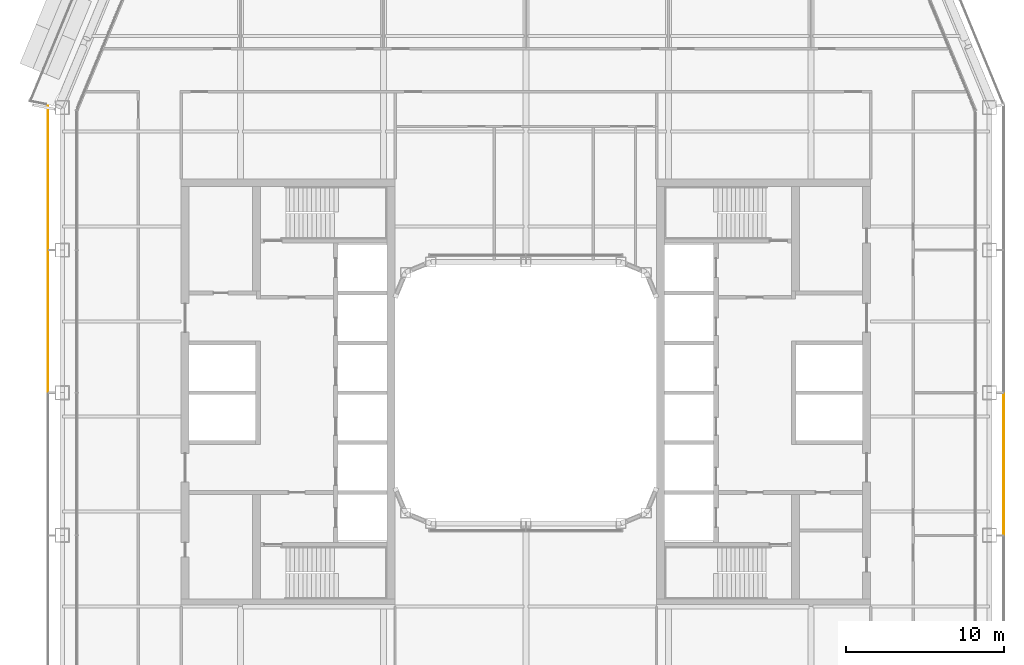
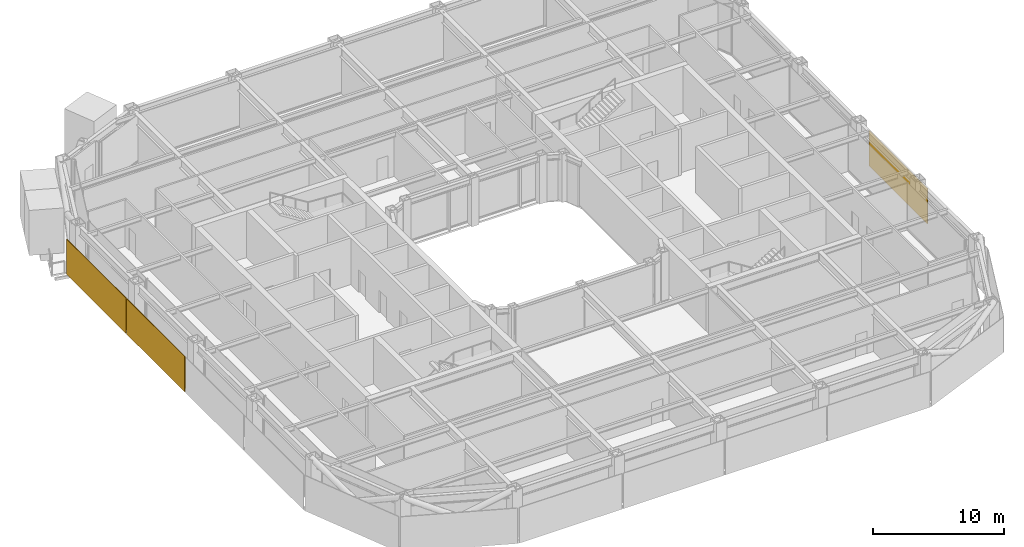
# One storey, part 20 of 23: 3 coverings.
"""IFC4 building model written with IfcOpenShell, lengths in metres."""

from ifc_helpers import new_model, si_unit, direction, frame, origin, origin_2d, place, context, subcontext, project, spatial, rectangle, extrude, material, layer, layer_set, type_object, element, save


model = new_model("IFC4")

# Units and contexts
model_context = context("Model", 3, precision=1e-05, world=origin(), true_north=direction((0.0, 1.0)))
body_context = subcontext(model_context, "Body", "Model", "MODEL_VIEW")
ifc_project = project(units=[si_unit("LENGTHUNIT", "METRE"), si_unit("AREAUNIT", "SQUARE_METRE"), si_unit("VOLUMEUNIT", "CUBIC_METRE"), si_unit("PLANEANGLEUNIT", "RADIAN"), si_unit("MASSUNIT", "GRAM", prefix="KILO")], contexts=[model_context])

# Site, building, storey
site_placement = place(None, origin())
site = spatial("IfcSite", under=ifc_project, at=site_placement, CompositionType="ELEMENT")
building_placement = place(site_placement, origin())
building = spatial("IfcBuilding", under=site, at=building_placement, Name="Siwar Civic Tower", CompositionType="ELEMENT")
storey_placement = place(building_placement, frame((0.0, 0.0, 172.199951171875)))
storey = spatial("IfcBuildingStorey", under=building, at=storey_placement, Name="L37", CompositionType="ELEMENT", Elevation=172.199951171875)

# Coverings
ifc_material_1 = material(Name="Perforated aluminium cassette, pale metal", Category="aluminium")
ifc_layer_1 = layer(ifc_material_1, 0.0400390625)
ifc_layer_set_1 = layer_set([ifc_layer_1], Name="Perforated aluminium cassette, pale metal")
covering_type_1 = type_object("IfcCoveringType", Name="ENV-OUTER SKIN OS-1", PredefinedType="CLADDING", material=ifc_layer_set_1)
covering_1_placement = place(storey_placement, frame((30.14990234375, -4.5, -0.14990234375), z_axis=(0.0, 0.0, 1.0), x_axis=(0.0, 1.0, 0.0)))
element("IfcCovering", 1, at=covering_1_placement, inside=storey, type_object=covering_type_1, Name="OUTER SKIN OS-1 E 2", PredefinedType="CLADDING", context=body_context, shape_type="SweptSolid", body=[
    extrude(rectangle(XDim=8.89990234375, YDim=0.0400390625, at=origin_2d()), origin(), (0.0, 0.0, 1.0), 3.300048828125),
])
ifc_material_2 = material(Name="Perforated aluminium cassette, pale metal", Category="aluminium")
ifc_layer_2 = layer(ifc_material_2, 0.050048828125)
ifc_layer_set_2 = layer_set([ifc_layer_2], Name="Perforated aluminium cassette, pale metal")
covering_type_2 = type_object("IfcCoveringType", Name="ENV-OUTER SKIN OS-3", PredefinedType="CLADDING", material=ifc_layer_set_2)
covering_2_placement = place(storey_placement, frame((-30.14990234375, 13.57958984375, -0.14990234375), z_axis=(0.0, 0.0, 1.0), x_axis=(0.0, -1.0, 0.0)))
element("IfcCovering", 2, at=covering_2_placement, inside=storey, type_object=covering_type_2, Name="OUTER SKIN OS-3 W 1", PredefinedType="CLADDING", context=body_context, shape_type="SweptSolid", body=[
    extrude(rectangle(XDim=9.05908203125, YDim=0.050048828125, at=origin_2d()), origin(), (0.0, 0.0, 1.0), 3.300048828125),
])
covering_3_placement = place(storey_placement, frame((-30.14990234375, 4.5, -0.14990234375), z_axis=(0.0, 0.0, 1.0), x_axis=(0.0, -1.0, 0.0)))
element("IfcCovering", 3, at=covering_3_placement, inside=storey, type_object=covering_type_2, Name="OUTER SKIN OS-3 W 2", PredefinedType="CLADDING", context=body_context, shape_type="SweptSolid", body=[
    extrude(rectangle(XDim=8.89990234375, YDim=0.050048828125, at=origin_2d()), origin(), (0.0, 0.0, 1.0), 3.300048828125),
])

save(model, "model.ifc")
